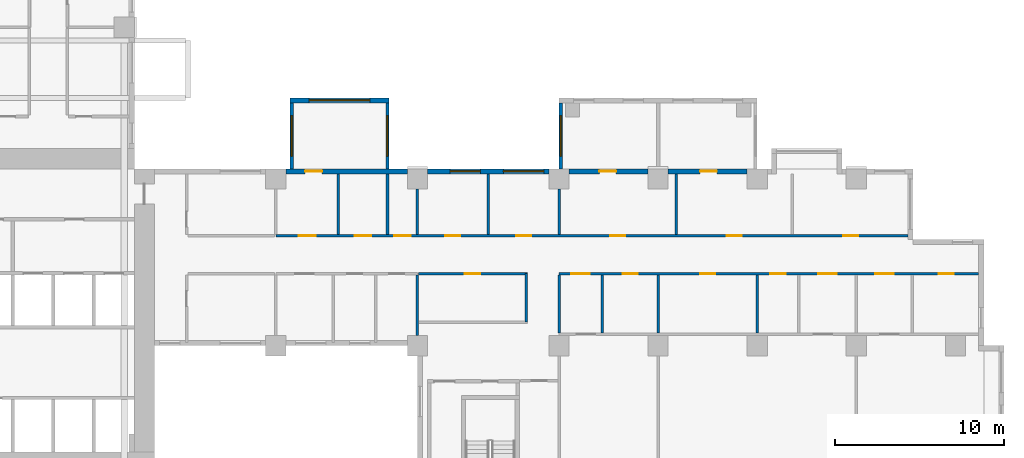
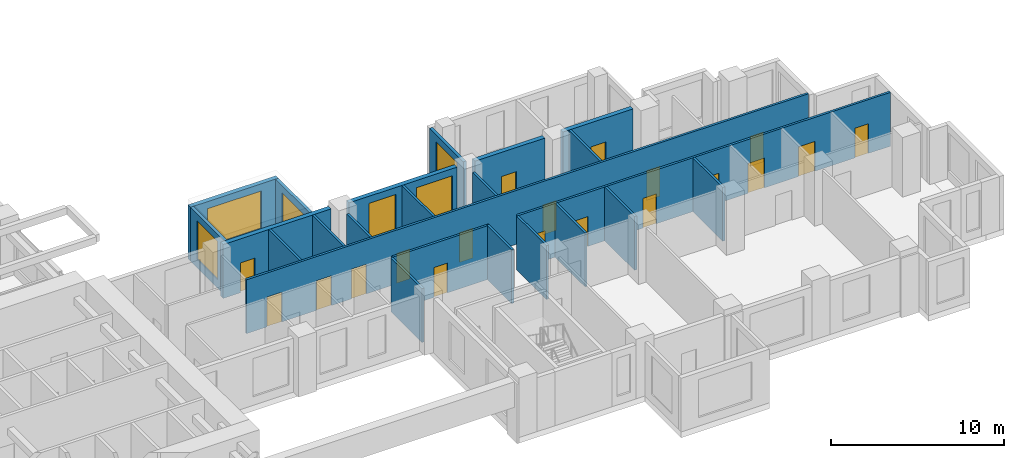
# One storey, part 5 of 14: 23 walls, 19 doors, 6 windows, 25 openings.
"""IFC4 building model written with IfcOpenShell, lengths in metres."""

from ifc_helpers import new_model, si_unit, direction, frame, frame_2d, origin, place, context, subcontext, project, spatial, rectangle, extrude, source, transform, mapped, material, layer, layer_set, type_object, element, fill, save


model = new_model("IFC4")

# Units and contexts
model_context = context("Model", 3, precision=1e-05, world=origin(), true_north=direction((0.0, 1.0)))
body_context = subcontext(model_context, "Body", "Model", "MODEL_VIEW")
ifc_project = project(units=[si_unit("LENGTHUNIT", "METRE"), si_unit("AREAUNIT", "SQUARE_METRE"), si_unit("VOLUMEUNIT", "CUBIC_METRE"), si_unit("PLANEANGLEUNIT", "RADIAN"), si_unit("MASSUNIT", "GRAM", prefix="KILO")], contexts=[model_context])

# Site, building, storey
site_placement = place(None, origin())
site = spatial("IfcSite", under=ifc_project, at=site_placement, CompositionType="ELEMENT")
building_placement = place(site_placement, origin())
building = spatial("IfcBuilding", under=site, at=building_placement, Name="Aurelian Terraces", CompositionType="ELEMENT")
storey_placement = place(building_placement, frame((0.0, 0.0, 57.3)))
storey = spatial("IfcBuildingStorey", under=building, at=storey_placement, Name="L11", CompositionType="ELEMENT", Elevation=57.3)

# Walls
ifc_material_1 = material(Name="Gypsum board on steel studs", Category="steel")
ifc_layer_1 = layer(ifc_material_1, 0.15)
ifc_layer_set_1 = layer_set([ifc_layer_1], Name="Partition 150")
wall_type_1 = type_object("IfcWallType", Name="Partition 150", PredefinedType="PARTITIONING", material=ifc_layer_set_1)
wall_1_placement = place(storey_placement, frame((44.25, 11.9, 0.0), z_axis=(0.0, 0.0, 1.0), x_axis=(0.0, 1.0, 0.0)))
element("IfcWall", 1, at=wall_1_placement, inside=storey, type_object=wall_type_1, Name="Partition", PredefinedType="PARTITIONING", context=body_context, shape_type="SweptSolid", body=[
    extrude(rectangle(XDim=2.875, YDim=0.15, at=frame_2d((1.4375, 0.0))), origin(), (0.0, 0.0, 1.0), 3.8),
])
wall_2_placement = place(storey_placement, frame((48.7684, 11.25, 0.0), z_axis=(0.0, 0.0, 1.0), x_axis=(0.0, 1.0, 0.0)))
element("IfcWall", 2, at=wall_2_placement, inside=storey, type_object=wall_type_1, Name="Partition", PredefinedType="PARTITIONING", context=body_context, shape_type="SweptSolid", body=[
    extrude(rectangle(XDim=3.45, YDim=0.15, at=frame_2d((1.725, 0.0))), origin(), (0.0, 0.0, 1.0), 3.8),
])

# Wall, openings, windows
ifc_material_2 = material(Name="Terracotta rainscreen cladding", Category="masonry")
ifc_layer_2 = layer(ifc_material_2, 0.3)
ifc_layer_set_2 = layer_set([ifc_layer_2], Name="EW-300")
wall_type_2 = type_object("IfcWallType", Name="EW-300", PredefinedType="STANDARD", material=ifc_layer_set_2)
shared_shape_1 = source(origin(), body_context, "Body", "SweptSolid", [
    extrude(rectangle(XDim=7.2, YDim=0.3, at=frame_2d((3.6, 0.0))), origin(), (0.0, 0.0, 1.0), 3.8),
])
wall_3_placement = place(storey_placement, frame((45.6, 20.85, 0.0), z_axis=(0.0, 0.0, 1.0), x_axis=(-1.0, 0.0, 0.0)))
wall_3 = element("IfcWall", 3, at=wall_3_placement, inside=storey, type_object=wall_type_2, Name="External wall L11 F11.24", PredefinedType="STANDARD", context=body_context, shape_type="MappedRepresentation", body=[
    mapped(shared_shape_1, transform((0.0, 0.0, 0.0), scale=1.0)),
])
shared_shape_2 = source(origin(), body_context, "Body", "SweptSolid", [
    extrude(rectangle(XDim=2.4, YDim=2.7, at=frame_2d((1.2, 1.35))), frame((0.0, 0.16, 0.0), z_axis=(0.0, -1.0, 0.0), x_axis=(1.0, 0.0, 0.0)), (0.0, 0.0, 1.0), 0.32),
])
opening_1_placement = place(wall_3_placement, frame((0.3, 0.0, 0.6)))
opening_1 = element("IfcOpeningElement", 4, at=opening_1_placement, cuts=wall_3, Name="Opening W2427", PredefinedType="OPENING", context=body_context, shape_type="MappedRepresentation", body=[
    mapped(shared_shape_2, transform((0.0, 0.0, 0.0), scale=1.0)),
])
shared_shape_3 = source(origin(), body_context, "Body", "SweptSolid", [
    extrude(rectangle(XDim=1.8, YDim=2.7, at=frame_2d((0.9, 1.35))), frame((0.0, 0.16, 0.0), z_axis=(0.0, -1.0, 0.0), x_axis=(1.0, 0.0, 0.0)), (0.0, 0.0, 1.0), 0.32),
])
opening_2_placement = place(wall_3_placement, frame((4.0625, 0.0, 0.6)))
opening_2 = element("IfcOpeningElement", 5, at=opening_2_placement, cuts=wall_3, Name="Opening W1827", PredefinedType="OPENING", context=body_context, shape_type="MappedRepresentation", body=[
    mapped(shared_shape_3, transform((0.0, 0.0, 0.0), scale=1.0)),
])
ifc_material_3 = material(Name="Clear glazing", Category="glass")
window_type_1 = type_object("IfcWindowType", Name="W-2400x2700", PartitioningType="SINGLE_PANEL", PredefinedType="WINDOW", material=ifc_material_3)
shared_shape_4 = source(origin(), body_context, "Body", "SweptSolid", [
    extrude(rectangle(XDim=2.4, YDim=2.7, at=frame_2d((1.2, 1.35))), frame((0.0, 0.03, 0.0), z_axis=(0.0, -1.0, 0.0), x_axis=(1.0, 0.0, 0.0)), (0.0, 0.0, 1.0), 0.06),
])
window_1_placement = place(opening_1_placement, origin())
window_1 = element("IfcWindow", 6, at=window_1_placement, inside=storey, type_object=window_type_1, Name="Window L11 L11-F11-24-0", OverallHeight=2.7, OverallWidth=2.4, PartitioningType="SINGLE_PANEL", PredefinedType="WINDOW", context=body_context, shape_type="MappedRepresentation", body=[
    mapped(shared_shape_4, transform((0.0, 0.0, 0.0), scale=1.0)),
])
fill(opening_1, window_1)
window_type_2 = type_object("IfcWindowType", Name="W-1800x2700", PartitioningType="SINGLE_PANEL", PredefinedType="WINDOW", material=ifc_material_3)
shared_shape_5 = source(origin(), body_context, "Body", "SweptSolid", [
    extrude(rectangle(XDim=1.8, YDim=2.7, at=frame_2d((0.9, 1.35))), frame((0.0, 0.03, 0.0), z_axis=(0.0, -1.0, 0.0), x_axis=(1.0, 0.0, 0.0)), (0.0, 0.0, 1.0), 0.06),
])
window_2_placement = place(opening_2_placement, origin())
window_2 = element("IfcWindow", 7, at=window_2_placement, inside=storey, type_object=window_type_2, Name="Window L11 L11-F11-24-G0-33", OverallHeight=2.7, OverallWidth=1.8, PartitioningType="SINGLE_PANEL", PredefinedType="WINDOW", context=body_context, shape_type="MappedRepresentation", body=[
    mapped(shared_shape_5, transform((0.0, 0.0, 0.0), scale=1.0)),
])
fill(opening_2, window_2)

# Wall, opening, door
wall_4_placement = place(storey_placement, frame((37.2, 20.85, 0.0), z_axis=(0.0, 0.0, 1.0), x_axis=(-1.0, 0.0, 0.0)))
wall_4 = element("IfcWall", 8, at=wall_4_placement, inside=storey, type_object=wall_type_2, Name="External wall L11 F11.24", PredefinedType="STANDARD", context=body_context, shape_type="MappedRepresentation", body=[
    mapped(shared_shape_1, transform((0.0, 0.0, 0.0), scale=1.0)),
])
shared_shape_6 = source(origin(), body_context, "Body", "SweptSolid", [
    extrude(rectangle(XDim=1.0, YDim=2.1, at=frame_2d((0.5, 1.05))), frame((0.0, 0.16, 0.0), z_axis=(0.0, -1.0, 0.0), x_axis=(1.0, 0.0, 0.0)), (0.0, 0.0, 1.0), 0.32),
])
opening_3_placement = place(wall_4_placement, frame((5.06, 0.0, 0.0)))
opening_3 = element("IfcOpeningElement", 9, at=opening_3_placement, cuts=wall_4, Name="Opening 811001", PredefinedType="OPENING", context=body_context, shape_type="MappedRepresentation", body=[
    mapped(shared_shape_6, transform((0.0, 0.0, 0.0), scale=1.0)),
])
ifc_material_4 = material(Name="Timber door leaf", Category="wood")
door_type_1 = type_object("IfcDoorType", Name="Room door 1000x2100 left", OperationType="SINGLE_SWING_LEFT", PredefinedType="DOOR", material=ifc_material_4)
shared_shape_7 = source(origin(), body_context, "Body", "SweptSolid", [
    extrude(rectangle(XDim=1.0, YDim=2.1, at=frame_2d((0.5, 1.05))), frame((0.0, 0.025, 0.0), z_axis=(0.0, -1.0, 0.0), x_axis=(1.0, 0.0, 0.0)), (0.0, 0.0, 1.0), 0.05),
])
door_1_placement = place(opening_3_placement, origin())
door_1 = element("IfcDoor", 10, at=door_1_placement, inside=storey, type_object=door_type_1, Name="Door 811001", OperationType="SINGLE_SWING_LEFT", OverallHeight=2.1, OverallWidth=1.0, PredefinedType="DOOR", context=body_context, shape_type="MappedRepresentation", body=[
    mapped(shared_shape_7, transform((0.0, 0.0, 0.0), scale=1.0)),
])
fill(opening_3, door_1)

shared_shape_8 = source(origin(), body_context, "Body", "SweptSolid", [
    extrude(rectangle(XDim=4.68, YDim=0.3, at=frame_2d((2.34, 0.0))), origin(), (0.0, 0.0, 1.0), 3.8),
])
wall_5_placement = place(storey_placement, frame((57.36, 20.85, 0.0), z_axis=(0.0, 0.0, 1.0), x_axis=(-1.0, 0.0, 0.0)))
wall_5 = element("IfcWall", 11, at=wall_5_placement, inside=storey, type_object=wall_type_2, Name="External wall L11 F11.23", PredefinedType="STANDARD", context=body_context, shape_type="MappedRepresentation", body=[
    mapped(shared_shape_8, transform((0.0, 0.0, 0.0), scale=1.0)),
])
opening_4_placement = place(wall_5_placement, frame((1.7933, 0.0, 0.0)))
opening_4 = element("IfcOpeningElement", 12, at=opening_4_placement, cuts=wall_5, Name="Opening 811006", PredefinedType="OPENING", context=body_context, shape_type="MappedRepresentation", body=[
    mapped(shared_shape_6, transform((0.0, 0.0, 0.0), scale=1.0)),
])
door_2_placement = place(opening_4_placement, origin())
door_2 = element("IfcDoor", 13, at=door_2_placement, inside=storey, type_object=door_type_1, Name="Door 811006", OperationType="SINGLE_SWING_LEFT", OverallHeight=2.1, OverallWidth=1.0, PredefinedType="DOOR", context=body_context, shape_type="MappedRepresentation", body=[
    mapped(shared_shape_7, transform((0.0, 0.0, 0.0), scale=1.0)),
])
fill(opening_4, door_2)

wall_6_placement = place(storey_placement, frame((51.48, 20.85, 0.0), z_axis=(0.0, 0.0, 1.0), x_axis=(-1.0, 0.0, 0.0)))
wall_6 = element("IfcWall", 14, at=wall_6_placement, inside=storey, type_object=wall_type_2, Name="External wall L11 F11.23", PredefinedType="STANDARD", context=body_context, shape_type="MappedRepresentation", body=[
    mapped(shared_shape_8, transform((0.0, 0.0, 0.0), scale=1.0)),
])
opening_5_placement = place(wall_6_placement, frame((1.8867, 0.0, 0.0)))
opening_5 = element("IfcOpeningElement", 15, at=opening_5_placement, cuts=wall_6, Name="Opening 811007", PredefinedType="OPENING", context=body_context, shape_type="MappedRepresentation", body=[
    mapped(shared_shape_6, transform((0.0, 0.0, 0.0), scale=1.0)),
])
door_3_placement = place(opening_5_placement, origin())
door_3 = element("IfcDoor", 16, at=door_3_placement, inside=storey, type_object=door_type_1, Name="Door 811007", OperationType="SINGLE_SWING_LEFT", OverallHeight=2.1, OverallWidth=1.0, PredefinedType="DOOR", context=body_context, shape_type="MappedRepresentation", body=[
    mapped(shared_shape_7, transform((0.0, 0.0, 0.0), scale=1.0)),
])
fill(opening_5, door_3)

# Wall, opening, window
ifc_material_5 = material(Name="Concrete fc' 40 MPa", Category="concrete")
ifc_layer_3 = layer(ifc_material_5, 0.2)
ifc_layer_set_3 = layer_set([ifc_layer_3], Name="BOX BEARING WALL 200")
wall_type_3 = type_object("IfcWallType", Name="BOX BEARING WALL 200", PredefinedType="SOLIDWALL", material=ifc_layer_set_3)
shared_shape_9 = source(origin(), body_context, "Body", "SweptSolid", [
    extrude(rectangle(XDim=3.9, YDim=0.2, at=frame_2d((1.95, 0.0))), origin(), (0.0, 0.0, 1.0), 3.79),
])
wall_7_placement = place(storey_placement, frame((46.3, 21.0, 0.0), z_axis=(0.0, 0.0, 1.0), x_axis=(0.0, 1.0, 0.0)))
wall_7 = element("IfcWall", 17, at=wall_7_placement, inside=storey, type_object=wall_type_3, Name="Box return L11 K01.2", PredefinedType="SOLIDWALL", context=body_context, shape_type="MappedRepresentation", body=[
    mapped(shared_shape_9, transform((0.0, 0.0, 0.0), scale=1.0)),
])
shared_shape_10 = source(origin(), body_context, "Body", "SweptSolid", [
    extrude(rectangle(XDim=2.4, YDim=2.7, at=frame_2d((1.2, 1.35))), frame((0.0, 0.11, 0.0), z_axis=(0.0, -1.0, 0.0), x_axis=(1.0, 0.0, 0.0)), (0.0, 0.0, 1.0), 0.22),
])
opening_6_placement = place(wall_7_placement, frame((0.75, 0.0, 0.6)))
opening_6 = element("IfcOpeningElement", 18, at=opening_6_placement, cuts=wall_7, Name="Opening W2427", PredefinedType="OPENING", context=body_context, shape_type="MappedRepresentation", body=[
    mapped(shared_shape_10, transform((0.0, 0.0, 0.0), scale=1.0)),
])
window_3_placement = place(opening_6_placement, origin())
window_3 = element("IfcWindow", 19, at=window_3_placement, inside=storey, type_object=window_type_1, Name="Window L11 K01-S2", OverallHeight=2.7, OverallWidth=2.4, PartitioningType="SINGLE_PANEL", PredefinedType="WINDOW", context=body_context, shape_type="MappedRepresentation", body=[
    mapped(shared_shape_4, transform((0.0, 0.0, 0.0), scale=1.0)),
])
fill(opening_6, window_3)

shared_shape_11 = source(origin(), body_context, "Body", "SweptSolid", [
    extrude(rectangle(XDim=3.9, YDim=0.2, at=frame_2d((1.95, 0.0))), origin(), (0.0, 0.0, 1.0), 3.8),
])
wall_8_placement = place(storey_placement, frame((36.02, 21.0, 0.0), z_axis=(0.0, 0.0, 1.0), x_axis=(0.0, 1.0, 0.0)))
wall_8 = element("IfcWall", 20, at=wall_8_placement, inside=storey, type_object=wall_type_3, Name="Box return L11 J06.1", PredefinedType="SOLIDWALL", context=body_context, shape_type="MappedRepresentation", body=[
    mapped(shared_shape_11, transform((0.0, 0.0, 0.0), scale=1.0)),
])
opening_7_placement = place(wall_8_placement, frame((0.75, 0.0, 0.6)))
opening_7 = element("IfcOpeningElement", 21, at=opening_7_placement, cuts=wall_8, Name="Opening W2427", PredefinedType="OPENING", context=body_context, shape_type="MappedRepresentation", body=[
    mapped(shared_shape_10, transform((0.0, 0.0, 0.0), scale=1.0)),
])
window_4_placement = place(opening_7_placement, origin())
window_4 = element("IfcWindow", 22, at=window_4_placement, inside=storey, type_object=window_type_1, Name="Window L11 J06-S1", OverallHeight=2.7, OverallWidth=2.4, PartitioningType="SINGLE_PANEL", PredefinedType="WINDOW", context=body_context, shape_type="MappedRepresentation", body=[
    mapped(shared_shape_4, transform((0.0, 0.0, 0.0), scale=1.0)),
])
fill(opening_7, window_4)

wall_9_placement = place(storey_placement, frame((30.34, 21.0, 0.0), z_axis=(0.0, 0.0, 1.0), x_axis=(0.0, 1.0, 0.0)))
wall_9 = element("IfcWall", 23, at=wall_9_placement, inside=storey, type_object=wall_type_3, Name="Box return L11 J06.2", PredefinedType="SOLIDWALL", context=body_context, shape_type="MappedRepresentation", body=[
    mapped(shared_shape_11, transform((0.0, 0.0, 0.0), scale=1.0)),
])
opening_8_placement = place(wall_9_placement, frame((0.75, 0.0, 0.6)))
opening_8 = element("IfcOpeningElement", 24, at=opening_8_placement, cuts=wall_9, Name="Opening W2427", PredefinedType="OPENING", context=body_context, shape_type="MappedRepresentation", body=[
    mapped(shared_shape_10, transform((0.0, 0.0, 0.0), scale=1.0)),
])
window_5_placement = place(opening_8_placement, origin())
window_5 = element("IfcWindow", 25, at=window_5_placement, inside=storey, type_object=window_type_1, Name="Window L11 J06-S2", OverallHeight=2.7, OverallWidth=2.4, PartitioningType="SINGLE_PANEL", PredefinedType="WINDOW", context=body_context, shape_type="MappedRepresentation", body=[
    mapped(shared_shape_4, transform((0.0, 0.0, 0.0), scale=1.0)),
])
fill(opening_8, window_5)

ifc_layer_4 = layer(ifc_material_5, 0.3)
ifc_layer_set_4 = layer_set([ifc_layer_4], Name="BOX BEARING WALL 300")
wall_type_4 = type_object("IfcWallType", Name="BOX BEARING WALL 300", PredefinedType="SOLIDWALL", material=ifc_layer_set_4)
shared_shape_12 = source(origin(), body_context, "Body", "SweptSolid", [
    extrude(rectangle(XDim=5.88, YDim=0.3, at=frame_2d((2.94, 0.0))), origin(), (0.0, 0.0, 1.0), 3.8),
])
wall_10_placement = place(storey_placement, frame((36.12, 25.05, 0.0), z_axis=(0.0, 0.0, 1.0), x_axis=(-1.0, 0.0, 0.0)))
wall_10 = element("IfcWall", 26, at=wall_10_placement, inside=storey, type_object=wall_type_4, Name="Box wall L11 J06", PredefinedType="SOLIDWALL", context=body_context, shape_type="MappedRepresentation", body=[
    mapped(shared_shape_12, transform((0.0, 0.0, 0.0), scale=1.0)),
])
shared_shape_13 = source(origin(), body_context, "Body", "SweptSolid", [
    extrude(rectangle(XDim=3.6, YDim=2.7, at=frame_2d((1.8, 1.35))), frame((0.0, 0.16, 0.0), z_axis=(0.0, -1.0, 0.0), x_axis=(1.0, 0.0, 0.0)), (0.0, 0.0, 1.0), 0.32),
])
opening_9_placement = place(wall_10_placement, frame((1.14, 0.0, 0.6)))
opening_9 = element("IfcOpeningElement", 27, at=opening_9_placement, cuts=wall_10, Name="Opening W3627", PredefinedType="OPENING", context=body_context, shape_type="MappedRepresentation", body=[
    mapped(shared_shape_13, transform((0.0, 0.0, 0.0), scale=1.0)),
])
window_type_3 = type_object("IfcWindowType", Name="W-3600x2700", PartitioningType="SINGLE_PANEL", PredefinedType="WINDOW", material=ifc_material_3)
shared_shape_14 = source(origin(), body_context, "Body", "SweptSolid", [
    extrude(rectangle(XDim=3.6, YDim=2.7, at=frame_2d((1.8, 1.35))), frame((0.0, 0.03, 0.0), z_axis=(0.0, -1.0, 0.0), x_axis=(1.0, 0.0, 0.0)), (0.0, 0.0, 1.0), 0.06),
])
window_6_placement = place(opening_9_placement, origin())
window_6 = element("IfcWindow", 28, at=window_6_placement, inside=storey, type_object=window_type_3, Name="Window L11 J06-F1", OverallHeight=2.7, OverallWidth=3.6, PartitioningType="SINGLE_PANEL", PredefinedType="WINDOW", context=body_context, shape_type="MappedRepresentation", body=[
    mapped(shared_shape_14, transform((0.0, 0.0, 0.0), scale=1.0)),
])
fill(opening_9, window_6)

# Wall, opening, door
ifc_layer_5 = layer(ifc_material_1, 0.15)
ifc_layer_set_5 = layer_set([ifc_layer_5], Name="Fire partition 150")
wall_type_5 = type_object("IfcWallType", Name="Fire partition 150", PredefinedType="PARTITIONING", material=ifc_layer_set_5)
shared_shape_15 = source(origin(), body_context, "Body", "SweptSolid", [
    extrude(rectangle(XDim=6.45, YDim=0.15, at=frame_2d((3.225, 0.0))), origin(), (0.0, 0.0, 1.0), 3.8),
])
wall_11_placement = place(storey_placement, frame((44.325, 14.775, 0.0), z_axis=(0.0, 0.0, 1.0), x_axis=(-1.0, 0.0, 0.0)))
wall_11 = element("IfcWall", 29, at=wall_11_placement, inside=storey, type_object=wall_type_5, Name="Corridor wall", PredefinedType="PARTITIONING", context=body_context, shape_type="MappedRepresentation", body=[
    mapped(shared_shape_15, transform((0.0, 0.0, 0.0), scale=1.0)),
])
shared_shape_16 = source(origin(), body_context, "Body", "SweptSolid", [
    extrude(rectangle(XDim=0.9, YDim=2.1, at=frame_2d((0.45, 1.05))), frame((0.0, 0.085, 0.0), z_axis=(0.0, -1.0, 0.0), x_axis=(1.0, 0.0, 0.0)), (0.0, 0.0, 1.0), 0.17),
])
opening_10_placement = place(wall_11_placement, frame((2.8125, 0.0, 0.0)))
opening_10 = element("IfcOpeningElement", 30, at=opening_10_placement, cuts=wall_11, Name="Opening 711003", PredefinedType="OPENING", context=body_context, shape_type="MappedRepresentation", body=[
    mapped(shared_shape_16, transform((0.0, 0.0, 0.0), scale=1.0)),
])
door_type_2 = type_object("IfcDoorType", Name="Room door 900x2100 right", OperationType="SINGLE_SWING_RIGHT", PredefinedType="DOOR", material=ifc_material_4)
shared_shape_17 = source(origin(), body_context, "Body", "SweptSolid", [
    extrude(rectangle(XDim=0.9, YDim=2.1, at=frame_2d((0.45, 1.05))), frame((0.0, 0.025, 0.0), z_axis=(0.0, -1.0, 0.0), x_axis=(1.0, 0.0, 0.0)), (0.0, 0.0, 1.0), 0.05),
])
door_4_placement = place(opening_10_placement, origin())
door_4 = element("IfcDoor", 31, at=door_4_placement, inside=storey, type_object=door_type_2, Name="Door 711003", OperationType="SINGLE_SWING_RIGHT", OverallHeight=2.1, OverallWidth=0.9, PredefinedType="DOOR", context=body_context, shape_type="MappedRepresentation", body=[
    mapped(shared_shape_17, transform((0.0, 0.0, 0.0), scale=1.0)),
])
fill(opening_10, door_4)

# Walls
shared_shape_18 = source(origin(), body_context, "Body", "SweptSolid", [
    extrude(rectangle(XDim=3.6, YDim=0.15, at=frame_2d((1.8, 0.0))), origin(), (0.0, 0.0, 1.0), 3.8),
])
for number, where, z_axis, x_axis, name in (
    (32, (33.1133, 20.7, 0.0), (0.0, 0.0, 1.0), (0.0, -1.0, 0.0), "Partition"),
    (33, (36.024, 20.7, 0.0), (0.0, 0.0, 1.0), (0.0, -1.0, 0.0), "Partition"),
    (34, (42.0, 20.7, 0.0), (0.0, 0.0, 1.0), (0.0, -1.0, 0.0), "Partition"),
    (35, (53.15, 20.7, 0.0), (0.0, 0.0, 1.0), (0.0, -1.0, 0.0), "Partition"),
):
    element("IfcWall", number, at=place(storey_placement, frame(where, z_axis=z_axis, x_axis=x_axis)), inside=storey, type_object=wall_type_1, Name=name, PredefinedType="PARTITIONING", context=body_context, shape_type="MappedRepresentation", body=[
        mapped(shared_shape_18, transform((0.0, 0.0, 0.0), scale=1.0)),
    ])
shared_shape_19 = source(origin(), body_context, "Body", "SweptSolid", [
    extrude(rectangle(XDim=2.701, YDim=0.15, at=frame_2d((1.3505, 0.0))), origin(), (0.0, 0.0, 1.0), 3.8),
])
for number, where, z_axis, x_axis, name in (
    (36, (37.8, 17.1, 0.0), (0.0, 0.0, 1.0), (0.0, 1.0, 0.0), "Partition"),
    (37, (46.2, 17.1, 0.0), (0.0, 0.0, 1.0), (0.0, 1.0, 0.0), "Partition"),
):
    element("IfcWall", number, at=place(storey_placement, frame(where, z_axis=z_axis, x_axis=x_axis)), inside=storey, type_object=wall_type_1, Name=name, PredefinedType="PARTITIONING", context=body_context, shape_type="MappedRepresentation", body=[
        mapped(shared_shape_19, transform((0.0, 0.0, 0.0), scale=1.0)),
    ])

# Wall, openings, doors
shared_shape_20 = source(origin(), body_context, "Body", "SweptSolid", [
    extrude(rectangle(XDim=24.9, YDim=0.15, at=frame_2d((12.45, 0.0))), origin(), (0.0, 0.0, 1.0), 3.8),
])
wall_12_placement = place(storey_placement, frame((71.1, 14.775, 0.0), z_axis=(0.0, 0.0, 1.0), x_axis=(-1.0, 0.0, 0.0)))
wall_12 = element("IfcWall", 38, at=wall_12_placement, inside=storey, type_object=wall_type_5, Name="Corridor wall", PredefinedType="PARTITIONING", context=body_context, shape_type="MappedRepresentation", body=[
    mapped(shared_shape_20, transform((0.0, 0.0, 0.0), scale=1.0)),
])
shared_shape_21 = source(origin(), body_context, "Body", "SweptSolid", [
    extrude(rectangle(XDim=1.1, YDim=2.1, at=frame_2d((0.55, 1.05))), frame((0.0, 0.085, 0.0), z_axis=(0.0, -1.0, 0.0), x_axis=(1.0, 0.0, 0.0)), (0.0, 0.0, 1.0), 0.17),
])
opening_11_placement = place(wall_12_placement, frame((23.0658, 0.0, 0.0)))
opening_11 = element("IfcOpeningElement", 39, at=opening_11_placement, cuts=wall_12, Name="Opening 711008", PredefinedType="OPENING", context=body_context, shape_type="MappedRepresentation", body=[
    mapped(shared_shape_21, transform((0.0, 0.0, 0.0), scale=1.0)),
])
opening_12_placement = place(wall_12_placement, frame((20.2258, 0.0, 0.0)))
opening_12 = element("IfcOpeningElement", 40, at=opening_12_placement, cuts=wall_12, Name="Opening 711010", PredefinedType="OPENING", context=body_context, shape_type="MappedRepresentation", body=[
    mapped(shared_shape_16, transform((0.0, 0.0, 0.0), scale=1.0)),
])
opening_13_placement = place(wall_12_placement, frame((8.4202, 0.0, 0.0)))
opening_13 = element("IfcOpeningElement", 41, at=opening_13_placement, cuts=wall_12, Name="Opening 711011", PredefinedType="OPENING", context=body_context, shape_type="MappedRepresentation", body=[
    mapped(shared_shape_21, transform((0.0, 0.0, 0.0), scale=1.0)),
])
opening_14_placement = place(wall_12_placement, frame((15.63, 0.0, 0.0)))
opening_14 = element("IfcOpeningElement", 42, at=opening_14_placement, cuts=wall_12, Name="Opening 711013", PredefinedType="OPENING", context=body_context, shape_type="MappedRepresentation", body=[
    mapped(shared_shape_16, transform((0.0, 0.0, 0.0), scale=1.0)),
])
opening_15_placement = place(wall_12_placement, frame((11.4602, 0.0, 0.0)))
opening_15 = element("IfcOpeningElement", 43, at=opening_15_placement, cuts=wall_12, Name="Opening 711014", PredefinedType="OPENING", context=body_context, shape_type="MappedRepresentation", body=[
    mapped(shared_shape_16, transform((0.0, 0.0, 0.0), scale=1.0)),
])
opening_16_placement = place(wall_12_placement, frame((5.0508, 0.0, 0.0)))
opening_16 = element("IfcOpeningElement", 44, at=opening_16_placement, cuts=wall_12, Name="Opening 711015", PredefinedType="OPENING", context=body_context, shape_type="MappedRepresentation", body=[
    mapped(shared_shape_21, transform((0.0, 0.0, 0.0), scale=1.0)),
])
opening_17_placement = place(wall_12_placement, frame((1.4833, 0.0, 0.0)))
opening_17 = element("IfcOpeningElement", 45, at=opening_17_placement, cuts=wall_12, Name="Opening 711017", PredefinedType="OPENING", context=body_context, shape_type="MappedRepresentation", body=[
    mapped(shared_shape_16, transform((0.0, 0.0, 0.0), scale=1.0)),
])
door_type_3 = type_object("IfcDoorType", Name="Room door 900x2100 left", OperationType="SINGLE_SWING_LEFT", PredefinedType="DOOR", material=ifc_material_4)
door_5_placement = place(opening_12_placement, origin())
door_5 = element("IfcDoor", 46, at=door_5_placement, inside=storey, type_object=door_type_3, Name="Door 711010", OperationType="SINGLE_SWING_LEFT", OverallHeight=2.1, OverallWidth=0.9, PredefinedType="DOOR", context=body_context, shape_type="MappedRepresentation", body=[
    mapped(shared_shape_17, transform((0.0, 0.0, 0.0), scale=1.0)),
])
fill(opening_12, door_5)
door_6_placement = place(opening_14_placement, origin())
door_6 = element("IfcDoor", 47, at=door_6_placement, inside=storey, type_object=door_type_3, Name="Door 711013", OperationType="SINGLE_SWING_LEFT", OverallHeight=2.1, OverallWidth=0.9, PredefinedType="DOOR", context=body_context, shape_type="MappedRepresentation", body=[
    mapped(shared_shape_17, transform((0.0, 0.0, 0.0), scale=1.0)),
])
fill(opening_14, door_6)
door_7_placement = place(opening_15_placement, origin())
door_7 = element("IfcDoor", 48, at=door_7_placement, inside=storey, type_object=door_type_2, Name="Door 711014", OperationType="SINGLE_SWING_RIGHT", OverallHeight=2.1, OverallWidth=0.9, PredefinedType="DOOR", context=body_context, shape_type="MappedRepresentation", body=[
    mapped(shared_shape_17, transform((0.0, 0.0, 0.0), scale=1.0)),
])
fill(opening_15, door_7)
door_8_placement = place(opening_17_placement, origin())
door_8 = element("IfcDoor", 49, at=door_8_placement, inside=storey, type_object=door_type_3, Name="Door 711017", OperationType="SINGLE_SWING_LEFT", OverallHeight=2.1, OverallWidth=0.9, PredefinedType="DOOR", context=body_context, shape_type="MappedRepresentation", body=[
    mapped(shared_shape_17, transform((0.0, 0.0, 0.0), scale=1.0)),
])
fill(opening_17, door_8)
door_type_4 = type_object("IfcDoorType", Name="Room door 1100x2100 left", OperationType="SINGLE_SWING_LEFT", PredefinedType="DOOR", material=ifc_material_4)
shared_shape_22 = source(origin(), body_context, "Body", "SweptSolid", [
    extrude(rectangle(XDim=1.1, YDim=2.1, at=frame_2d((0.55, 1.05))), frame((0.0, 0.025, 0.0), z_axis=(0.0, -1.0, 0.0), x_axis=(1.0, 0.0, 0.0)), (0.0, 0.0, 1.0), 0.05),
])
door_9_placement = place(opening_11_placement, origin())
door_9 = element("IfcDoor", 50, at=door_9_placement, inside=storey, type_object=door_type_4, Name="Door 711008", OperationType="SINGLE_SWING_LEFT", OverallHeight=2.1, OverallWidth=1.1, PredefinedType="DOOR", context=body_context, shape_type="MappedRepresentation", body=[
    mapped(shared_shape_22, transform((0.0, 0.0, 0.0), scale=1.0)),
])
fill(opening_11, door_9)
door_10_placement = place(opening_13_placement, origin())
door_10 = element("IfcDoor", 51, at=door_10_placement, inside=storey, type_object=door_type_4, Name="Door 711011", OperationType="SINGLE_SWING_LEFT", OverallHeight=2.1, OverallWidth=1.1, PredefinedType="DOOR", context=body_context, shape_type="MappedRepresentation", body=[
    mapped(shared_shape_22, transform((0.0, 0.0, 0.0), scale=1.0)),
])
fill(opening_13, door_10)
door_11_placement = place(opening_16_placement, origin())
door_11 = element("IfcDoor", 52, at=door_11_placement, inside=storey, type_object=door_type_4, Name="Door 711015", OperationType="SINGLE_SWING_LEFT", OverallHeight=2.1, OverallWidth=1.1, PredefinedType="DOOR", context=body_context, shape_type="MappedRepresentation", body=[
    mapped(shared_shape_22, transform((0.0, 0.0, 0.0), scale=1.0)),
])
fill(opening_16, door_11)

shared_shape_23 = source(origin(), body_context, "Body", "SweptSolid", [
    extrude(rectangle(XDim=37.5, YDim=0.15, at=frame_2d((18.75, 0.0))), origin(), (0.0, 0.0, 1.0), 3.8),
])
wall_13_placement = place(storey_placement, frame((29.4, 17.025, 0.0), z_axis=(0.0, 0.0, 1.0), x_axis=(1.0, 0.0, 0.0)))
wall_13 = element("IfcWall", 53, at=wall_13_placement, inside=storey, type_object=wall_type_5, Name="Corridor wall", PredefinedType="PARTITIONING", context=body_context, shape_type="MappedRepresentation", body=[
    mapped(shared_shape_23, transform((0.0, 0.0, 0.0), scale=1.0)),
])
shared_shape_24 = source(origin(), body_context, "Body", "SweptSolid", [
    extrude(rectangle(XDim=1.0, YDim=2.1, at=frame_2d((0.5, 1.05))), frame((0.0, 0.085, 0.0), z_axis=(0.0, -1.0, 0.0), x_axis=(1.0, 0.0, 0.0)), (0.0, 0.0, 1.0), 0.17),
])
opening_18_placement = place(wall_13_placement, frame((1.3567, 0.0, 0.0)))
opening_18 = element("IfcOpeningElement", 54, at=opening_18_placement, cuts=wall_13, Name="Opening 711018", PredefinedType="OPENING", context=body_context, shape_type="MappedRepresentation", body=[
    mapped(shared_shape_24, transform((0.0, 0.0, 0.0), scale=1.0)),
])
opening_19_placement = place(wall_13_placement, frame((4.6686, 0.0, 0.0)))
opening_19 = element("IfcOpeningElement", 55, at=opening_19_placement, cuts=wall_13, Name="Opening 711019", PredefinedType="OPENING", context=body_context, shape_type="MappedRepresentation", body=[
    mapped(shared_shape_24, transform((0.0, 0.0, 0.0), scale=1.0)),
])
opening_20_placement = place(wall_13_placement, frame((7.012, 0.0, 0.0)))
opening_20 = element("IfcOpeningElement", 56, at=opening_20_placement, cuts=wall_13, Name="Opening 711020", PredefinedType="OPENING", context=body_context, shape_type="MappedRepresentation", body=[
    mapped(shared_shape_24, transform((0.0, 0.0, 0.0), scale=1.0)),
])
opening_21_placement = place(wall_13_placement, frame((10.05, 0.0, 0.0)))
opening_21 = element("IfcOpeningElement", 57, at=opening_21_placement, cuts=wall_13, Name="Opening 711021", PredefinedType="OPENING", context=body_context, shape_type="MappedRepresentation", body=[
    mapped(shared_shape_16, transform((0.0, 0.0, 0.0), scale=1.0)),
])
opening_22_placement = place(wall_13_placement, frame((14.25, 0.0, 0.0)))
opening_22 = element("IfcOpeningElement", 58, at=opening_22_placement, cuts=wall_13, Name="Opening 711022", PredefinedType="OPENING", context=body_context, shape_type="MappedRepresentation", body=[
    mapped(shared_shape_16, transform((0.0, 0.0, 0.0), scale=1.0)),
])
opening_23_placement = place(wall_13_placement, frame((19.825, 0.0, 0.0)))
opening_23 = element("IfcOpeningElement", 59, at=opening_23_placement, cuts=wall_13, Name="Opening 711023", PredefinedType="OPENING", context=body_context, shape_type="MappedRepresentation", body=[
    mapped(shared_shape_16, transform((0.0, 0.0, 0.0), scale=1.0)),
])
opening_24_placement = place(wall_13_placement, frame((26.7375, 0.0, 0.0)))
opening_24 = element("IfcOpeningElement", 60, at=opening_24_placement, cuts=wall_13, Name="Opening 711024", PredefinedType="OPENING", context=body_context, shape_type="MappedRepresentation", body=[
    mapped(shared_shape_16, transform((0.0, 0.0, 0.0), scale=1.0)),
])
opening_25_placement = place(wall_13_placement, frame((33.65, 0.0, 0.0)))
opening_25 = element("IfcOpeningElement", 61, at=opening_25_placement, cuts=wall_13, Name="Opening 711025", PredefinedType="OPENING", context=body_context, shape_type="MappedRepresentation", body=[
    mapped(shared_shape_16, transform((0.0, 0.0, 0.0), scale=1.0)),
])
door_12_placement = place(opening_18_placement, origin())
door_12 = element("IfcDoor", 62, at=door_12_placement, inside=storey, type_object=door_type_1, Name="Door 711018", OperationType="SINGLE_SWING_LEFT", OverallHeight=2.1, OverallWidth=1.0, PredefinedType="DOOR", context=body_context, shape_type="MappedRepresentation", body=[
    mapped(shared_shape_7, transform((0.0, 0.0, 0.0), scale=1.0)),
])
fill(opening_18, door_12)
door_type_5 = type_object("IfcDoorType", Name="Room door 1000x2100 right", OperationType="SINGLE_SWING_RIGHT", PredefinedType="DOOR", material=ifc_material_4)
door_13_placement = place(opening_19_placement, origin())
door_13 = element("IfcDoor", 63, at=door_13_placement, inside=storey, type_object=door_type_5, Name="Door 711019", OperationType="SINGLE_SWING_RIGHT", OverallHeight=2.1, OverallWidth=1.0, PredefinedType="DOOR", context=body_context, shape_type="MappedRepresentation", body=[
    mapped(shared_shape_7, transform((0.0, 0.0, 0.0), scale=1.0)),
])
fill(opening_19, door_13)
door_14_placement = place(opening_20_placement, origin())
door_14 = element("IfcDoor", 64, at=door_14_placement, inside=storey, type_object=door_type_1, Name="Door 711020", OperationType="SINGLE_SWING_LEFT", OverallHeight=2.1, OverallWidth=1.0, PredefinedType="DOOR", context=body_context, shape_type="MappedRepresentation", body=[
    mapped(shared_shape_7, transform((0.0, 0.0, 0.0), scale=1.0)),
])
fill(opening_20, door_14)
door_15_placement = place(opening_21_placement, origin())
door_15 = element("IfcDoor", 65, at=door_15_placement, inside=storey, type_object=door_type_3, Name="Door 711021", OperationType="SINGLE_SWING_LEFT", OverallHeight=2.1, OverallWidth=0.9, PredefinedType="DOOR", context=body_context, shape_type="MappedRepresentation", body=[
    mapped(shared_shape_17, transform((0.0, 0.0, 0.0), scale=1.0)),
])
fill(opening_21, door_15)
door_16_placement = place(opening_22_placement, origin())
door_16 = element("IfcDoor", 66, at=door_16_placement, inside=storey, type_object=door_type_2, Name="Door 711022", OperationType="SINGLE_SWING_RIGHT", OverallHeight=2.1, OverallWidth=0.9, PredefinedType="DOOR", context=body_context, shape_type="MappedRepresentation", body=[
    mapped(shared_shape_17, transform((0.0, 0.0, 0.0), scale=1.0)),
])
fill(opening_22, door_16)
door_17_placement = place(opening_23_placement, origin())
door_17 = element("IfcDoor", 67, at=door_17_placement, inside=storey, type_object=door_type_3, Name="Door 711023", OperationType="SINGLE_SWING_LEFT", OverallHeight=2.1, OverallWidth=0.9, PredefinedType="DOOR", context=body_context, shape_type="MappedRepresentation", body=[
    mapped(shared_shape_17, transform((0.0, 0.0, 0.0), scale=1.0)),
])
fill(opening_23, door_17)
door_18_placement = place(opening_24_placement, origin())
door_18 = element("IfcDoor", 68, at=door_18_placement, inside=storey, type_object=door_type_2, Name="Door 711024", OperationType="SINGLE_SWING_RIGHT", OverallHeight=2.1, OverallWidth=0.9, PredefinedType="DOOR", context=body_context, shape_type="MappedRepresentation", body=[
    mapped(shared_shape_17, transform((0.0, 0.0, 0.0), scale=1.0)),
])
fill(opening_24, door_18)
door_19_placement = place(opening_25_placement, origin())
door_19 = element("IfcDoor", 69, at=door_19_placement, inside=storey, type_object=door_type_3, Name="Door 711025", OperationType="SINGLE_SWING_LEFT", OverallHeight=2.1, OverallWidth=0.9, PredefinedType="DOOR", context=body_context, shape_type="MappedRepresentation", body=[
    mapped(shared_shape_17, transform((0.0, 0.0, 0.0), scale=1.0)),
])
fill(opening_25, door_19)

# Walls
shared_shape_25 = source(origin(), body_context, "Body", "SweptSolid", [
    extrude(rectangle(XDim=3.601, YDim=0.15, at=frame_2d((1.8005, 0.0))), origin(), (0.0, 0.0, 1.0), 3.8),
])
wall_14_placement = place(storey_placement, frame((37.8, 11.099, 0.0), z_axis=(0.0, 0.0, 1.0), x_axis=(0.0, 1.0, 0.0)))
element("IfcWall", 70, at=wall_14_placement, inside=storey, type_object=wall_type_1, Name="Partition", PredefinedType="PARTITIONING", context=body_context, shape_type="MappedRepresentation", body=[
    mapped(shared_shape_25, transform((0.0, 0.0, 0.0), scale=1.0)),
])
shared_shape_26 = source(origin(), body_context, "Body", "SweptSolid", [
    extrude(rectangle(XDim=3.45, YDim=0.15, at=frame_2d((1.725, 0.0))), origin(), (0.0, 0.0, 1.0), 3.8),
])
for number, where, z_axis, x_axis, name in (
    (71, (57.96, 11.25, 0.0), (0.0, 0.0, 1.0), (0.0, 1.0, 0.0), "Partition"),
    (72, (46.2, 11.25, 0.0), (0.0, 0.0, 1.0), (0.0, 1.0, 0.0), "Partition"),
    (73, (52.08, 11.25, 0.0), (0.0, 0.0, 1.0), (0.0, 1.0, 0.0), "Partition"),
):
    element("IfcWall", number, at=place(storey_placement, frame(where, z_axis=z_axis, x_axis=x_axis)), inside=storey, type_object=wall_type_1, Name=name, PredefinedType="PARTITIONING", context=body_context, shape_type="MappedRepresentation", body=[
        mapped(shared_shape_26, transform((0.0, 0.0, 0.0), scale=1.0)),
    ])

save(model, "model.ifc")
